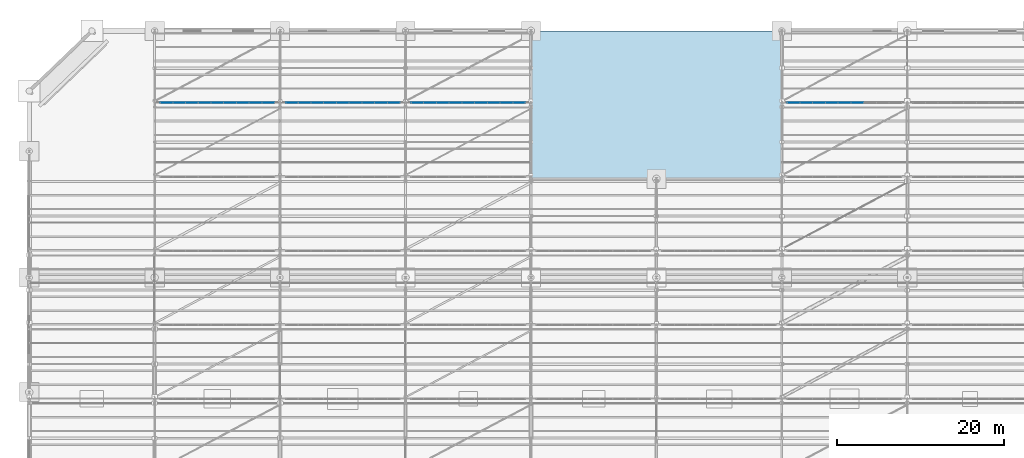
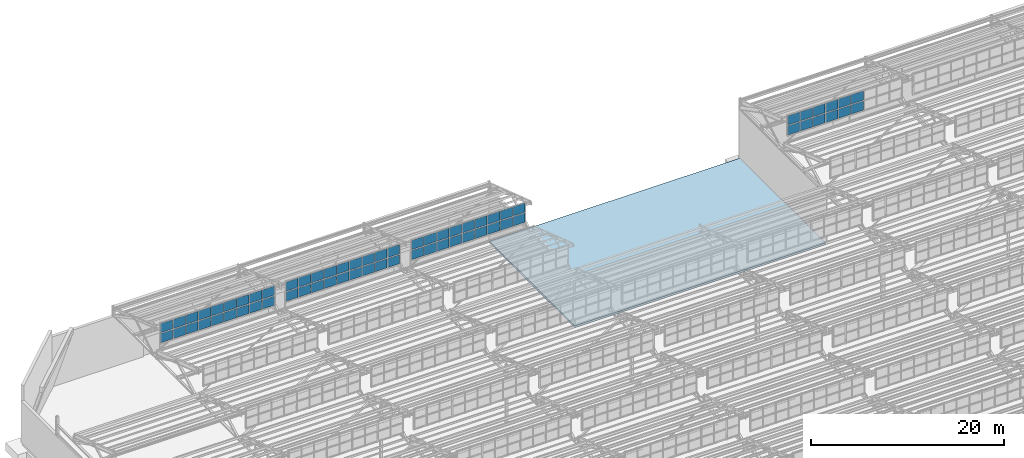
# One storey, part 187 of 285: 66 plates, 1 slab, 4 elements without a shape of their own.
"""IFC4 building model written with IfcOpenShell, lengths in metres."""

from ifc_helpers import new_model, si_unit, direction, frame, origin, origin_2d, place, context, subcontext, project, spatial, polyline, rectangle, outline, extrude, material, layer, layer_set, type_object, element, aggregate, save


model = new_model("IFC4")

# Units and contexts
model_context = context("Model", 3, precision=1e-05, world=origin(), true_north=direction((0.0, 1.0)))
body_context = subcontext(model_context, "Body", "Model", "MODEL_VIEW")
ifc_project = project(units=[si_unit("LENGTHUNIT", "METRE"), si_unit("AREAUNIT", "SQUARE_METRE"), si_unit("VOLUMEUNIT", "CUBIC_METRE"), si_unit("PLANEANGLEUNIT", "RADIAN"), si_unit("MASSUNIT", "GRAM", prefix="KILO")], contexts=[model_context])

# Site, building, storey
site_placement = place(None, origin())
site = spatial("IfcSite", under=ifc_project, at=site_placement, CompositionType="ELEMENT")
building_placement = place(site_placement, origin())
building = spatial("IfcBuilding", under=site, at=building_placement, Name="Solanera Park Tramway Depot", CompositionType="ELEMENT")
storey_placement = place(building_placement, origin())
storey = spatial("IfcBuildingStorey", under=building, at=storey_placement, Name="L00", CompositionType="ELEMENT", Elevation=0.0)

# Curtain wall, plates
ifc_material_1 = material(Name="Bronze-anodised thermally broken aluminium curtain wall", Category="aluminium")
curtain_wall_type = type_object("IfcCurtainWallType", Name="Sawtooth Clerestory Monitor Curtain Wall", PredefinedType="NOTDEFINED", material=ifc_material_1)
curtain_wall_1_placement = place(storey_placement, origin())
curtain_wall_1 = element("IfcCurtainWall", 1, at=curtain_wall_1_placement, inside=storey, type_object=curtain_wall_type, Name="L00 Sawtooth Clerestory Monitor Curtain Wall #066", PredefinedType="NOTDEFINED")
ifc_material_2 = material(Name="Low-E laminated solar-control double glazing", Category="glass")
ifc_layer_1 = layer(ifc_material_2, 0.028076171875)
ifc_layer_set_1 = layer_set([ifc_layer_1], Name="Low-E laminated solar-control double glazing")
plate_type = type_object("IfcPlateType", Name="Curtain Wall Double Glazing Panel 28", PredefinedType="CURTAIN_PANEL", material=ifc_layer_set_1)
plate_1_placement = place(storey_placement, frame((16.427490234375, 135.39990234375, 7.862060546875), z_axis=(0.0, 0.0, 1.0), x_axis=(1.0, 0.0, 0.0)))
plate_1 = element("IfcPlate", 2, at=plate_1_placement, type_object=plate_type, Name="CW-L00-066 Glazing Panel R1.C1", PredefinedType="CURTAIN_PANEL", context=body_context, shape_type="SweptSolid", body=[
    extrude(rectangle(XDim=1.437744140625, YDim=0.028076171875, at=origin_2d()), origin(), (0.0, 0.0, 1.0), 1.16650390625),
])
plate_2_placement = place(storey_placement, frame((17.933349609375, 135.39990234375, 7.862060546875), z_axis=(0.0, 0.0, 1.0), x_axis=(1.0, 0.0, 0.0)))
plate_2 = element("IfcPlate", 3, at=plate_2_placement, type_object=plate_type, Name="CW-L00-066 Glazing Panel R1.C2", PredefinedType="CURTAIN_PANEL", context=body_context, shape_type="SweptSolid", body=[
    extrude(rectangle(XDim=1.47021484375, YDim=0.028076171875, at=origin_2d()), origin(), (0.0, 0.0, 1.0), 1.16650390625),
])
plate_3_placement = place(storey_placement, frame((19.45556640625, 135.39990234375, 7.862060546875), z_axis=(0.0, 0.0, 1.0), x_axis=(1.0, 0.0, 0.0)))
plate_3 = element("IfcPlate", 4, at=plate_3_placement, type_object=plate_type, Name="CW-L00-066 Glazing Panel R1.C3", PredefinedType="CURTAIN_PANEL", context=body_context, shape_type="SweptSolid", body=[
    extrude(rectangle(XDim=1.47021484375, YDim=0.028076171875, at=origin_2d()), origin(), (0.0, 0.0, 1.0), 1.16650390625),
])
plate_4_placement = place(storey_placement, frame((20.977783203125, 135.39990234375, 7.862060546875), z_axis=(0.0, 0.0, 1.0), x_axis=(1.0, 0.0, 0.0)))
plate_4 = element("IfcPlate", 5, at=plate_4_placement, type_object=plate_type, Name="CW-L00-066 Glazing Panel R1.C4", PredefinedType="CURTAIN_PANEL", context=body_context, shape_type="SweptSolid", body=[
    extrude(rectangle(XDim=1.47021484375, YDim=0.028076171875, at=origin_2d()), origin(), (0.0, 0.0, 1.0), 1.16650390625),
])
plate_5_placement = place(storey_placement, frame((22.5, 135.39990234375, 7.862060546875), z_axis=(0.0, 0.0, 1.0), x_axis=(1.0, 0.0, 0.0)))
plate_5 = element("IfcPlate", 6, at=plate_5_placement, type_object=plate_type, Name="CW-L00-066 Glazing Panel R1.C5", PredefinedType="CURTAIN_PANEL", context=body_context, shape_type="SweptSolid", body=[
    extrude(rectangle(XDim=1.47021484375, YDim=0.028076171875, at=origin_2d()), origin(), (0.0, 0.0, 1.0), 1.16650390625),
])
plate_6_placement = place(storey_placement, frame((24.022216796875, 135.39990234375, 7.862060546875), z_axis=(0.0, 0.0, 1.0), x_axis=(1.0, 0.0, 0.0)))
plate_6 = element("IfcPlate", 7, at=plate_6_placement, type_object=plate_type, Name="CW-L00-066 Glazing Panel R1.C6", PredefinedType="CURTAIN_PANEL", context=body_context, shape_type="SweptSolid", body=[
    extrude(rectangle(XDim=1.47021484375, YDim=0.028076171875, at=origin_2d()), origin(), (0.0, 0.0, 1.0), 1.16650390625),
])
plate_7_placement = place(storey_placement, frame((25.54443359375, 135.39990234375, 7.862060546875), z_axis=(0.0, 0.0, 1.0), x_axis=(1.0, 0.0, 0.0)))
plate_7 = element("IfcPlate", 8, at=plate_7_placement, type_object=plate_type, Name="CW-L00-066 Glazing Panel R1.C7", PredefinedType="CURTAIN_PANEL", context=body_context, shape_type="SweptSolid", body=[
    extrude(rectangle(XDim=1.47021484375, YDim=0.028076171875, at=origin_2d()), origin(), (0.0, 0.0, 1.0), 1.16650390625),
])
plate_8_placement = place(storey_placement, frame((27.066650390625, 135.39990234375, 7.862060546875), z_axis=(0.0, 0.0, 1.0), x_axis=(1.0, 0.0, 0.0)))
plate_8 = element("IfcPlate", 9, at=plate_8_placement, type_object=plate_type, Name="CW-L00-066 Glazing Panel R1.C8", PredefinedType="CURTAIN_PANEL", context=body_context, shape_type="SweptSolid", body=[
    extrude(rectangle(XDim=1.47021484375, YDim=0.028076171875, at=origin_2d()), origin(), (0.0, 0.0, 1.0), 1.16650390625),
])
plate_9_placement = place(storey_placement, frame((28.572509765625, 135.39990234375, 7.862060546875), z_axis=(0.0, 0.0, 1.0), x_axis=(1.0, 0.0, 0.0)))
plate_9 = element("IfcPlate", 10, at=plate_9_placement, type_object=plate_type, Name="CW-L00-066 Glazing Panel R1.C9", PredefinedType="CURTAIN_PANEL", context=body_context, shape_type="SweptSolid", body=[
    extrude(rectangle(XDim=1.437744140625, YDim=0.028076171875, at=origin_2d()), origin(), (0.0, 0.0, 1.0), 1.16650390625),
])
plate_10_placement = place(storey_placement, frame((16.427490234375, 135.39990234375, 9.132568359375), z_axis=(0.0, 0.0, 1.0), x_axis=(1.0, 0.0, 0.0)))
plate_10 = element("IfcPlate", 11, at=plate_10_placement, type_object=plate_type, Name="CW-L00-066 Glazing Panel R2.C1", PredefinedType="CURTAIN_PANEL", context=body_context, shape_type="SweptSolid", body=[
    extrude(rectangle(XDim=1.437744140625, YDim=0.028076171875, at=origin_2d()), origin(), (0.0, 0.0, 1.0), 1.16650390625),
])
plate_11_placement = place(storey_placement, frame((17.933349609375, 135.39990234375, 9.132568359375), z_axis=(0.0, 0.0, 1.0), x_axis=(1.0, 0.0, 0.0)))
plate_11 = element("IfcPlate", 12, at=plate_11_placement, type_object=plate_type, Name="CW-L00-066 Glazing Panel R2.C2", PredefinedType="CURTAIN_PANEL", context=body_context, shape_type="SweptSolid", body=[
    extrude(rectangle(XDim=1.47021484375, YDim=0.028076171875, at=origin_2d()), origin(), (0.0, 0.0, 1.0), 1.16650390625),
])
plate_12_placement = place(storey_placement, frame((19.45556640625, 135.39990234375, 9.132568359375), z_axis=(0.0, 0.0, 1.0), x_axis=(1.0, 0.0, 0.0)))
plate_12 = element("IfcPlate", 13, at=plate_12_placement, type_object=plate_type, Name="CW-L00-066 Glazing Panel R2.C3", PredefinedType="CURTAIN_PANEL", context=body_context, shape_type="SweptSolid", body=[
    extrude(rectangle(XDim=1.47021484375, YDim=0.028076171875, at=origin_2d()), origin(), (0.0, 0.0, 1.0), 1.16650390625),
])
plate_13_placement = place(storey_placement, frame((20.977783203125, 135.39990234375, 9.132568359375), z_axis=(0.0, 0.0, 1.0), x_axis=(1.0, 0.0, 0.0)))
plate_13 = element("IfcPlate", 14, at=plate_13_placement, type_object=plate_type, Name="CW-L00-066 Glazing Panel R2.C4", PredefinedType="CURTAIN_PANEL", context=body_context, shape_type="SweptSolid", body=[
    extrude(rectangle(XDim=1.47021484375, YDim=0.028076171875, at=origin_2d()), origin(), (0.0, 0.0, 1.0), 1.16650390625),
])
plate_14_placement = place(storey_placement, frame((22.5, 135.39990234375, 9.132568359375), z_axis=(0.0, 0.0, 1.0), x_axis=(1.0, 0.0, 0.0)))
plate_14 = element("IfcPlate", 15, at=plate_14_placement, type_object=plate_type, Name="CW-L00-066 Glazing Panel R2.C5", PredefinedType="CURTAIN_PANEL", context=body_context, shape_type="SweptSolid", body=[
    extrude(rectangle(XDim=1.47021484375, YDim=0.028076171875, at=origin_2d()), origin(), (0.0, 0.0, 1.0), 1.16650390625),
])
plate_15_placement = place(storey_placement, frame((24.022216796875, 135.39990234375, 9.132568359375), z_axis=(0.0, 0.0, 1.0), x_axis=(1.0, 0.0, 0.0)))
plate_15 = element("IfcPlate", 16, at=plate_15_placement, type_object=plate_type, Name="CW-L00-066 Glazing Panel R2.C6", PredefinedType="CURTAIN_PANEL", context=body_context, shape_type="SweptSolid", body=[
    extrude(rectangle(XDim=1.47021484375, YDim=0.028076171875, at=origin_2d()), origin(), (0.0, 0.0, 1.0), 1.16650390625),
])
plate_16_placement = place(storey_placement, frame((25.54443359375, 135.39990234375, 9.132568359375), z_axis=(0.0, 0.0, 1.0), x_axis=(1.0, 0.0, 0.0)))
plate_16 = element("IfcPlate", 17, at=plate_16_placement, type_object=plate_type, Name="CW-L00-066 Glazing Panel R2.C7", PredefinedType="CURTAIN_PANEL", context=body_context, shape_type="SweptSolid", body=[
    extrude(rectangle(XDim=1.47021484375, YDim=0.028076171875, at=origin_2d()), origin(), (0.0, 0.0, 1.0), 1.16650390625),
])
plate_17_placement = place(storey_placement, frame((27.066650390625, 135.39990234375, 9.132568359375), z_axis=(0.0, 0.0, 1.0), x_axis=(1.0, 0.0, 0.0)))
plate_17 = element("IfcPlate", 18, at=plate_17_placement, type_object=plate_type, Name="CW-L00-066 Glazing Panel R2.C8", PredefinedType="CURTAIN_PANEL", context=body_context, shape_type="SweptSolid", body=[
    extrude(rectangle(XDim=1.47021484375, YDim=0.028076171875, at=origin_2d()), origin(), (0.0, 0.0, 1.0), 1.16650390625),
])
plate_18_placement = place(storey_placement, frame((28.572509765625, 135.39990234375, 9.132568359375), z_axis=(0.0, 0.0, 1.0), x_axis=(1.0, 0.0, 0.0)))
plate_18 = element("IfcPlate", 19, at=plate_18_placement, type_object=plate_type, Name="CW-L00-066 Glazing Panel R2.C9", PredefinedType="CURTAIN_PANEL", context=body_context, shape_type="SweptSolid", body=[
    extrude(rectangle(XDim=1.437744140625, YDim=0.028076171875, at=origin_2d()), origin(), (0.0, 0.0, 1.0), 1.16650390625),
])
aggregate(curtain_wall_1, [plate_1, plate_2, plate_3, plate_4, plate_5, plate_6, plate_7, plate_8, plate_9, plate_10, plate_11, plate_12, plate_13, plate_14, plate_15, plate_16, plate_17, plate_18])

curtain_wall_2_placement = place(storey_placement, origin())
curtain_wall_2 = element("IfcCurtainWall", 20, at=curtain_wall_2_placement, inside=storey, type_object=curtain_wall_type, Name="L00 Sawtooth Clerestory Monitor Curtain Wall #067", PredefinedType="NOTDEFINED")
plate_19_placement = place(storey_placement, frame((31.427490234375, 135.39990234375, 7.862060546875), z_axis=(0.0, 0.0, 1.0), x_axis=(1.0, 0.0, 0.0)))
plate_19 = element("IfcPlate", 21, at=plate_19_placement, type_object=plate_type, Name="CW-L00-067 Glazing Panel R1.C1", PredefinedType="CURTAIN_PANEL", context=body_context, shape_type="SweptSolid", body=[
    extrude(rectangle(XDim=1.437744140625, YDim=0.028076171875, at=origin_2d()), origin(), (0.0, 0.0, 1.0), 1.16650390625),
])
plate_20_placement = place(storey_placement, frame((32.933349609375, 135.39990234375, 7.862060546875), z_axis=(0.0, 0.0, 1.0), x_axis=(1.0, 0.0, 0.0)))
plate_20 = element("IfcPlate", 22, at=plate_20_placement, type_object=plate_type, Name="CW-L00-067 Glazing Panel R1.C2", PredefinedType="CURTAIN_PANEL", context=body_context, shape_type="SweptSolid", body=[
    extrude(rectangle(XDim=1.47021484375, YDim=0.028076171875, at=origin_2d()), origin(), (0.0, 0.0, 1.0), 1.16650390625),
])
plate_21_placement = place(storey_placement, frame((34.45556640625, 135.39990234375, 7.862060546875), z_axis=(0.0, 0.0, 1.0), x_axis=(1.0, 0.0, 0.0)))
plate_21 = element("IfcPlate", 23, at=plate_21_placement, type_object=plate_type, Name="CW-L00-067 Glazing Panel R1.C3", PredefinedType="CURTAIN_PANEL", context=body_context, shape_type="SweptSolid", body=[
    extrude(rectangle(XDim=1.47021484375, YDim=0.028076171875, at=origin_2d()), origin(), (0.0, 0.0, 1.0), 1.16650390625),
])
plate_22_placement = place(storey_placement, frame((35.977783203125, 135.39990234375, 7.862060546875), z_axis=(0.0, 0.0, 1.0), x_axis=(1.0, 0.0, 0.0)))
plate_22 = element("IfcPlate", 24, at=plate_22_placement, type_object=plate_type, Name="CW-L00-067 Glazing Panel R1.C4", PredefinedType="CURTAIN_PANEL", context=body_context, shape_type="SweptSolid", body=[
    extrude(rectangle(XDim=1.47021484375, YDim=0.028076171875, at=origin_2d()), origin(), (0.0, 0.0, 1.0), 1.16650390625),
])
plate_23_placement = place(storey_placement, frame((37.5, 135.39990234375, 7.862060546875), z_axis=(0.0, 0.0, 1.0), x_axis=(1.0, 0.0, 0.0)))
plate_23 = element("IfcPlate", 25, at=plate_23_placement, type_object=plate_type, Name="CW-L00-067 Glazing Panel R1.C5", PredefinedType="CURTAIN_PANEL", context=body_context, shape_type="SweptSolid", body=[
    extrude(rectangle(XDim=1.47021484375, YDim=0.028076171875, at=origin_2d()), origin(), (0.0, 0.0, 1.0), 1.16650390625),
])
plate_24_placement = place(storey_placement, frame((39.022216796875, 135.39990234375, 7.862060546875), z_axis=(0.0, 0.0, 1.0), x_axis=(1.0, 0.0, 0.0)))
plate_24 = element("IfcPlate", 26, at=plate_24_placement, type_object=plate_type, Name="CW-L00-067 Glazing Panel R1.C6", PredefinedType="CURTAIN_PANEL", context=body_context, shape_type="SweptSolid", body=[
    extrude(rectangle(XDim=1.47021484375, YDim=0.028076171875, at=origin_2d()), origin(), (0.0, 0.0, 1.0), 1.16650390625),
])
plate_25_placement = place(storey_placement, frame((40.54443359375, 135.39990234375, 7.862060546875), z_axis=(0.0, 0.0, 1.0), x_axis=(1.0, 0.0, 0.0)))
plate_25 = element("IfcPlate", 27, at=plate_25_placement, type_object=plate_type, Name="CW-L00-067 Glazing Panel R1.C7", PredefinedType="CURTAIN_PANEL", context=body_context, shape_type="SweptSolid", body=[
    extrude(rectangle(XDim=1.47021484375, YDim=0.028076171875, at=origin_2d()), origin(), (0.0, 0.0, 1.0), 1.16650390625),
])
plate_26_placement = place(storey_placement, frame((42.066650390625, 135.39990234375, 7.862060546875), z_axis=(0.0, 0.0, 1.0), x_axis=(1.0, 0.0, 0.0)))
plate_26 = element("IfcPlate", 28, at=plate_26_placement, type_object=plate_type, Name="CW-L00-067 Glazing Panel R1.C8", PredefinedType="CURTAIN_PANEL", context=body_context, shape_type="SweptSolid", body=[
    extrude(rectangle(XDim=1.47021484375, YDim=0.028076171875, at=origin_2d()), origin(), (0.0, 0.0, 1.0), 1.16650390625),
])
plate_27_placement = place(storey_placement, frame((43.572509765625, 135.39990234375, 7.862060546875), z_axis=(0.0, 0.0, 1.0), x_axis=(1.0, 0.0, 0.0)))
plate_27 = element("IfcPlate", 29, at=plate_27_placement, type_object=plate_type, Name="CW-L00-067 Glazing Panel R1.C9", PredefinedType="CURTAIN_PANEL", context=body_context, shape_type="SweptSolid", body=[
    extrude(rectangle(XDim=1.437744140625, YDim=0.028076171875, at=origin_2d()), origin(), (0.0, 0.0, 1.0), 1.16650390625),
])
plate_28_placement = place(storey_placement, frame((31.427490234375, 135.39990234375, 9.132568359375), z_axis=(0.0, 0.0, 1.0), x_axis=(1.0, 0.0, 0.0)))
plate_28 = element("IfcPlate", 30, at=plate_28_placement, type_object=plate_type, Name="CW-L00-067 Glazing Panel R2.C1", PredefinedType="CURTAIN_PANEL", context=body_context, shape_type="SweptSolid", body=[
    extrude(rectangle(XDim=1.437744140625, YDim=0.028076171875, at=origin_2d()), origin(), (0.0, 0.0, 1.0), 1.16650390625),
])
plate_29_placement = place(storey_placement, frame((32.933349609375, 135.39990234375, 9.132568359375), z_axis=(0.0, 0.0, 1.0), x_axis=(1.0, 0.0, 0.0)))
plate_29 = element("IfcPlate", 31, at=plate_29_placement, type_object=plate_type, Name="CW-L00-067 Glazing Panel R2.C2", PredefinedType="CURTAIN_PANEL", context=body_context, shape_type="SweptSolid", body=[
    extrude(rectangle(XDim=1.47021484375, YDim=0.028076171875, at=origin_2d()), origin(), (0.0, 0.0, 1.0), 1.16650390625),
])
plate_30_placement = place(storey_placement, frame((34.45556640625, 135.39990234375, 9.132568359375), z_axis=(0.0, 0.0, 1.0), x_axis=(1.0, 0.0, 0.0)))
plate_30 = element("IfcPlate", 32, at=plate_30_placement, type_object=plate_type, Name="CW-L00-067 Glazing Panel R2.C3", PredefinedType="CURTAIN_PANEL", context=body_context, shape_type="SweptSolid", body=[
    extrude(rectangle(XDim=1.47021484375, YDim=0.028076171875, at=origin_2d()), origin(), (0.0, 0.0, 1.0), 1.16650390625),
])
plate_31_placement = place(storey_placement, frame((35.977783203125, 135.39990234375, 9.132568359375), z_axis=(0.0, 0.0, 1.0), x_axis=(1.0, 0.0, 0.0)))
plate_31 = element("IfcPlate", 33, at=plate_31_placement, type_object=plate_type, Name="CW-L00-067 Glazing Panel R2.C4", PredefinedType="CURTAIN_PANEL", context=body_context, shape_type="SweptSolid", body=[
    extrude(rectangle(XDim=1.47021484375, YDim=0.028076171875, at=origin_2d()), origin(), (0.0, 0.0, 1.0), 1.16650390625),
])
plate_32_placement = place(storey_placement, frame((37.5, 135.39990234375, 9.132568359375), z_axis=(0.0, 0.0, 1.0), x_axis=(1.0, 0.0, 0.0)))
plate_32 = element("IfcPlate", 34, at=plate_32_placement, type_object=plate_type, Name="CW-L00-067 Glazing Panel R2.C5", PredefinedType="CURTAIN_PANEL", context=body_context, shape_type="SweptSolid", body=[
    extrude(rectangle(XDim=1.47021484375, YDim=0.028076171875, at=origin_2d()), origin(), (0.0, 0.0, 1.0), 1.16650390625),
])
plate_33_placement = place(storey_placement, frame((39.022216796875, 135.39990234375, 9.132568359375), z_axis=(0.0, 0.0, 1.0), x_axis=(1.0, 0.0, 0.0)))
plate_33 = element("IfcPlate", 35, at=plate_33_placement, type_object=plate_type, Name="CW-L00-067 Glazing Panel R2.C6", PredefinedType="CURTAIN_PANEL", context=body_context, shape_type="SweptSolid", body=[
    extrude(rectangle(XDim=1.47021484375, YDim=0.028076171875, at=origin_2d()), origin(), (0.0, 0.0, 1.0), 1.16650390625),
])
plate_34_placement = place(storey_placement, frame((40.54443359375, 135.39990234375, 9.132568359375), z_axis=(0.0, 0.0, 1.0), x_axis=(1.0, 0.0, 0.0)))
plate_34 = element("IfcPlate", 36, at=plate_34_placement, type_object=plate_type, Name="CW-L00-067 Glazing Panel R2.C7", PredefinedType="CURTAIN_PANEL", context=body_context, shape_type="SweptSolid", body=[
    extrude(rectangle(XDim=1.47021484375, YDim=0.028076171875, at=origin_2d()), origin(), (0.0, 0.0, 1.0), 1.16650390625),
])
plate_35_placement = place(storey_placement, frame((42.066650390625, 135.39990234375, 9.132568359375), z_axis=(0.0, 0.0, 1.0), x_axis=(1.0, 0.0, 0.0)))
plate_35 = element("IfcPlate", 37, at=plate_35_placement, type_object=plate_type, Name="CW-L00-067 Glazing Panel R2.C8", PredefinedType="CURTAIN_PANEL", context=body_context, shape_type="SweptSolid", body=[
    extrude(rectangle(XDim=1.47021484375, YDim=0.028076171875, at=origin_2d()), origin(), (0.0, 0.0, 1.0), 1.16650390625),
])
plate_36_placement = place(storey_placement, frame((43.572509765625, 135.39990234375, 9.132568359375), z_axis=(0.0, 0.0, 1.0), x_axis=(1.0, 0.0, 0.0)))
plate_36 = element("IfcPlate", 38, at=plate_36_placement, type_object=plate_type, Name="CW-L00-067 Glazing Panel R2.C9", PredefinedType="CURTAIN_PANEL", context=body_context, shape_type="SweptSolid", body=[
    extrude(rectangle(XDim=1.437744140625, YDim=0.028076171875, at=origin_2d()), origin(), (0.0, 0.0, 1.0), 1.16650390625),
])
aggregate(curtain_wall_2, [plate_19, plate_20, plate_21, plate_22, plate_23, plate_24, plate_25, plate_26, plate_27, plate_28, plate_29, plate_30, plate_31, plate_32, plate_33, plate_34, plate_35, plate_36])

curtain_wall_3_placement = place(storey_placement, origin())
curtain_wall_3 = element("IfcCurtainWall", 39, at=curtain_wall_3_placement, inside=storey, type_object=curtain_wall_type, Name="L00 Sawtooth Clerestory Monitor Curtain Wall #068", PredefinedType="NOTDEFINED")
plate_37_placement = place(storey_placement, frame((46.427490234375, 135.39990234375, 7.862060546875), z_axis=(0.0, 0.0, 1.0), x_axis=(1.0, 0.0, 0.0)))
plate_37 = element("IfcPlate", 40, at=plate_37_placement, type_object=plate_type, Name="CW-L00-068 Glazing Panel R1.C1", PredefinedType="CURTAIN_PANEL", context=body_context, shape_type="SweptSolid", body=[
    extrude(rectangle(XDim=1.437744140625, YDim=0.028076171875, at=origin_2d()), origin(), (0.0, 0.0, 1.0), 1.16650390625),
])
plate_38_placement = place(storey_placement, frame((47.933349609375, 135.39990234375, 7.862060546875), z_axis=(0.0, 0.0, 1.0), x_axis=(1.0, 0.0, 0.0)))
plate_38 = element("IfcPlate", 41, at=plate_38_placement, type_object=plate_type, Name="CW-L00-068 Glazing Panel R1.C2", PredefinedType="CURTAIN_PANEL", context=body_context, shape_type="SweptSolid", body=[
    extrude(rectangle(XDim=1.47021484375, YDim=0.028076171875, at=origin_2d()), origin(), (0.0, 0.0, 1.0), 1.16650390625),
])
plate_39_placement = place(storey_placement, frame((49.45556640625, 135.39990234375, 7.862060546875), z_axis=(0.0, 0.0, 1.0), x_axis=(1.0, 0.0, 0.0)))
plate_39 = element("IfcPlate", 42, at=plate_39_placement, type_object=plate_type, Name="CW-L00-068 Glazing Panel R1.C3", PredefinedType="CURTAIN_PANEL", context=body_context, shape_type="SweptSolid", body=[
    extrude(rectangle(XDim=1.47021484375, YDim=0.028076171875, at=origin_2d()), origin(), (0.0, 0.0, 1.0), 1.16650390625),
])
plate_40_placement = place(storey_placement, frame((50.977783203125, 135.39990234375, 7.862060546875), z_axis=(0.0, 0.0, 1.0), x_axis=(1.0, 0.0, 0.0)))
plate_40 = element("IfcPlate", 43, at=plate_40_placement, type_object=plate_type, Name="CW-L00-068 Glazing Panel R1.C4", PredefinedType="CURTAIN_PANEL", context=body_context, shape_type="SweptSolid", body=[
    extrude(rectangle(XDim=1.47021484375, YDim=0.028076171875, at=origin_2d()), origin(), (0.0, 0.0, 1.0), 1.16650390625),
])
plate_41_placement = place(storey_placement, frame((52.5, 135.39990234375, 7.862060546875), z_axis=(0.0, 0.0, 1.0), x_axis=(1.0, 0.0, 0.0)))
plate_41 = element("IfcPlate", 44, at=plate_41_placement, type_object=plate_type, Name="CW-L00-068 Glazing Panel R1.C5", PredefinedType="CURTAIN_PANEL", context=body_context, shape_type="SweptSolid", body=[
    extrude(rectangle(XDim=1.47021484375, YDim=0.028076171875, at=origin_2d()), origin(), (0.0, 0.0, 1.0), 1.16650390625),
])
plate_42_placement = place(storey_placement, frame((54.022216796875, 135.39990234375, 7.862060546875), z_axis=(0.0, 0.0, 1.0), x_axis=(1.0, 0.0, 0.0)))
plate_42 = element("IfcPlate", 45, at=plate_42_placement, type_object=plate_type, Name="CW-L00-068 Glazing Panel R1.C6", PredefinedType="CURTAIN_PANEL", context=body_context, shape_type="SweptSolid", body=[
    extrude(rectangle(XDim=1.47021484375, YDim=0.028076171875, at=origin_2d()), origin(), (0.0, 0.0, 1.0), 1.16650390625),
])
plate_43_placement = place(storey_placement, frame((55.54443359375, 135.39990234375, 7.862060546875), z_axis=(0.0, 0.0, 1.0), x_axis=(1.0, 0.0, 0.0)))
plate_43 = element("IfcPlate", 46, at=plate_43_placement, type_object=plate_type, Name="CW-L00-068 Glazing Panel R1.C7", PredefinedType="CURTAIN_PANEL", context=body_context, shape_type="SweptSolid", body=[
    extrude(rectangle(XDim=1.47021484375, YDim=0.028076171875, at=origin_2d()), origin(), (0.0, 0.0, 1.0), 1.16650390625),
])
plate_44_placement = place(storey_placement, frame((57.066650390625, 135.39990234375, 7.862060546875), z_axis=(0.0, 0.0, 1.0), x_axis=(1.0, 0.0, 0.0)))
plate_44 = element("IfcPlate", 47, at=plate_44_placement, type_object=plate_type, Name="CW-L00-068 Glazing Panel R1.C8", PredefinedType="CURTAIN_PANEL", context=body_context, shape_type="SweptSolid", body=[
    extrude(rectangle(XDim=1.47021484375, YDim=0.028076171875, at=origin_2d()), origin(), (0.0, 0.0, 1.0), 1.16650390625),
])
plate_45_placement = place(storey_placement, frame((58.572509765625, 135.39990234375, 7.862060546875), z_axis=(0.0, 0.0, 1.0), x_axis=(1.0, 0.0, 0.0)))
plate_45 = element("IfcPlate", 48, at=plate_45_placement, type_object=plate_type, Name="CW-L00-068 Glazing Panel R1.C9", PredefinedType="CURTAIN_PANEL", context=body_context, shape_type="SweptSolid", body=[
    extrude(rectangle(XDim=1.437744140625, YDim=0.028076171875, at=origin_2d()), origin(), (0.0, 0.0, 1.0), 1.16650390625),
])
plate_46_placement = place(storey_placement, frame((46.427490234375, 135.39990234375, 9.132568359375), z_axis=(0.0, 0.0, 1.0), x_axis=(1.0, 0.0, 0.0)))
plate_46 = element("IfcPlate", 49, at=plate_46_placement, type_object=plate_type, Name="CW-L00-068 Glazing Panel R2.C1", PredefinedType="CURTAIN_PANEL", context=body_context, shape_type="SweptSolid", body=[
    extrude(rectangle(XDim=1.437744140625, YDim=0.028076171875, at=origin_2d()), origin(), (0.0, 0.0, 1.0), 1.16650390625),
])
plate_47_placement = place(storey_placement, frame((47.933349609375, 135.39990234375, 9.132568359375), z_axis=(0.0, 0.0, 1.0), x_axis=(1.0, 0.0, 0.0)))
plate_47 = element("IfcPlate", 50, at=plate_47_placement, type_object=plate_type, Name="CW-L00-068 Glazing Panel R2.C2", PredefinedType="CURTAIN_PANEL", context=body_context, shape_type="SweptSolid", body=[
    extrude(rectangle(XDim=1.47021484375, YDim=0.028076171875, at=origin_2d()), origin(), (0.0, 0.0, 1.0), 1.16650390625),
])
plate_48_placement = place(storey_placement, frame((49.45556640625, 135.39990234375, 9.132568359375), z_axis=(0.0, 0.0, 1.0), x_axis=(1.0, 0.0, 0.0)))
plate_48 = element("IfcPlate", 51, at=plate_48_placement, type_object=plate_type, Name="CW-L00-068 Glazing Panel R2.C3", PredefinedType="CURTAIN_PANEL", context=body_context, shape_type="SweptSolid", body=[
    extrude(rectangle(XDim=1.47021484375, YDim=0.028076171875, at=origin_2d()), origin(), (0.0, 0.0, 1.0), 1.16650390625),
])
plate_49_placement = place(storey_placement, frame((50.977783203125, 135.39990234375, 9.132568359375), z_axis=(0.0, 0.0, 1.0), x_axis=(1.0, 0.0, 0.0)))
plate_49 = element("IfcPlate", 52, at=plate_49_placement, type_object=plate_type, Name="CW-L00-068 Glazing Panel R2.C4", PredefinedType="CURTAIN_PANEL", context=body_context, shape_type="SweptSolid", body=[
    extrude(rectangle(XDim=1.47021484375, YDim=0.028076171875, at=origin_2d()), origin(), (0.0, 0.0, 1.0), 1.16650390625),
])
plate_50_placement = place(storey_placement, frame((52.5, 135.39990234375, 9.132568359375), z_axis=(0.0, 0.0, 1.0), x_axis=(1.0, 0.0, 0.0)))
plate_50 = element("IfcPlate", 53, at=plate_50_placement, type_object=plate_type, Name="CW-L00-068 Glazing Panel R2.C5", PredefinedType="CURTAIN_PANEL", context=body_context, shape_type="SweptSolid", body=[
    extrude(rectangle(XDim=1.47021484375, YDim=0.028076171875, at=origin_2d()), origin(), (0.0, 0.0, 1.0), 1.16650390625),
])
plate_51_placement = place(storey_placement, frame((54.022216796875, 135.39990234375, 9.132568359375), z_axis=(0.0, 0.0, 1.0), x_axis=(1.0, 0.0, 0.0)))
plate_51 = element("IfcPlate", 54, at=plate_51_placement, type_object=plate_type, Name="CW-L00-068 Glazing Panel R2.C6", PredefinedType="CURTAIN_PANEL", context=body_context, shape_type="SweptSolid", body=[
    extrude(rectangle(XDim=1.47021484375, YDim=0.028076171875, at=origin_2d()), origin(), (0.0, 0.0, 1.0), 1.16650390625),
])
plate_52_placement = place(storey_placement, frame((55.54443359375, 135.39990234375, 9.132568359375), z_axis=(0.0, 0.0, 1.0), x_axis=(1.0, 0.0, 0.0)))
plate_52 = element("IfcPlate", 55, at=plate_52_placement, type_object=plate_type, Name="CW-L00-068 Glazing Panel R2.C7", PredefinedType="CURTAIN_PANEL", context=body_context, shape_type="SweptSolid", body=[
    extrude(rectangle(XDim=1.47021484375, YDim=0.028076171875, at=origin_2d()), origin(), (0.0, 0.0, 1.0), 1.16650390625),
])
plate_53_placement = place(storey_placement, frame((57.066650390625, 135.39990234375, 9.132568359375), z_axis=(0.0, 0.0, 1.0), x_axis=(1.0, 0.0, 0.0)))
plate_53 = element("IfcPlate", 56, at=plate_53_placement, type_object=plate_type, Name="CW-L00-068 Glazing Panel R2.C8", PredefinedType="CURTAIN_PANEL", context=body_context, shape_type="SweptSolid", body=[
    extrude(rectangle(XDim=1.47021484375, YDim=0.028076171875, at=origin_2d()), origin(), (0.0, 0.0, 1.0), 1.16650390625),
])
plate_54_placement = place(storey_placement, frame((58.572509765625, 135.39990234375, 9.132568359375), z_axis=(0.0, 0.0, 1.0), x_axis=(1.0, 0.0, 0.0)))
plate_54 = element("IfcPlate", 57, at=plate_54_placement, type_object=plate_type, Name="CW-L00-068 Glazing Panel R2.C9", PredefinedType="CURTAIN_PANEL", context=body_context, shape_type="SweptSolid", body=[
    extrude(rectangle(XDim=1.437744140625, YDim=0.028076171875, at=origin_2d()), origin(), (0.0, 0.0, 1.0), 1.16650390625),
])
aggregate(curtain_wall_3, [plate_37, plate_38, plate_39, plate_40, plate_41, plate_42, plate_43, plate_44, plate_45, plate_46, plate_47, plate_48, plate_49, plate_50, plate_51, plate_52, plate_53, plate_54])

curtain_wall_4_placement = place(storey_placement, origin())
curtain_wall_4 = element("IfcCurtainWall", 58, at=curtain_wall_4_placement, inside=storey, type_object=curtain_wall_type, Name="L00 Sawtooth Clerestory Monitor Curtain Wall #069", PredefinedType="NOTDEFINED")
plate_55_placement = place(storey_placement, frame((91.427490234375, 135.39990234375, 7.862060546875), z_axis=(0.0, 0.0, 1.0), x_axis=(1.0, 0.0, 0.0)))
plate_55 = element("IfcPlate", 59, at=plate_55_placement, type_object=plate_type, Name="CW-L00-069 Glazing Panel R1.C1", PredefinedType="CURTAIN_PANEL", context=body_context, shape_type="SweptSolid", body=[
    extrude(rectangle(XDim=1.437744140625, YDim=0.028076171875, at=origin_2d()), origin(), (0.0, 0.0, 1.0), 1.16650390625),
])
plate_56_placement = place(storey_placement, frame((92.933349609375, 135.39990234375, 7.862060546875), z_axis=(0.0, 0.0, 1.0), x_axis=(1.0, 0.0, 0.0)))
plate_56 = element("IfcPlate", 60, at=plate_56_placement, type_object=plate_type, Name="CW-L00-069 Glazing Panel R1.C2", PredefinedType="CURTAIN_PANEL", context=body_context, shape_type="SweptSolid", body=[
    extrude(rectangle(XDim=1.47021484375, YDim=0.028076171875, at=origin_2d()), origin(), (0.0, 0.0, 1.0), 1.16650390625),
])
plate_57_placement = place(storey_placement, frame((94.45556640625, 135.39990234375, 7.862060546875), z_axis=(0.0, 0.0, 1.0), x_axis=(1.0, 0.0, 0.0)))
plate_57 = element("IfcPlate", 61, at=plate_57_placement, type_object=plate_type, Name="CW-L00-069 Glazing Panel R1.C3", PredefinedType="CURTAIN_PANEL", context=body_context, shape_type="SweptSolid", body=[
    extrude(rectangle(XDim=1.47021484375, YDim=0.028076171875, at=origin_2d()), origin(), (0.0, 0.0, 1.0), 1.16650390625),
])
plate_58_placement = place(storey_placement, frame((95.977783203125, 135.39990234375, 7.862060546875), z_axis=(0.0, 0.0, 1.0), x_axis=(1.0, 0.0, 0.0)))
plate_58 = element("IfcPlate", 62, at=plate_58_placement, type_object=plate_type, Name="CW-L00-069 Glazing Panel R1.C4", PredefinedType="CURTAIN_PANEL", context=body_context, shape_type="SweptSolid", body=[
    extrude(rectangle(XDim=1.47021484375, YDim=0.028076171875, at=origin_2d()), origin(), (0.0, 0.0, 1.0), 1.16650390625),
])
plate_59_placement = place(storey_placement, frame((97.5, 135.39990234375, 7.862060546875), z_axis=(0.0, 0.0, 1.0), x_axis=(1.0, 0.0, 0.0)))
plate_59 = element("IfcPlate", 63, at=plate_59_placement, type_object=plate_type, Name="CW-L00-069 Glazing Panel R1.C5", PredefinedType="CURTAIN_PANEL", context=body_context, shape_type="SweptSolid", body=[
    extrude(rectangle(XDim=1.47021484375, YDim=0.028076171875, at=origin_2d()), origin(), (0.0, 0.0, 1.0), 1.16650390625),
])
plate_60_placement = place(storey_placement, frame((99.022216796875, 135.39990234375, 7.862060546875), z_axis=(0.0, 0.0, 1.0), x_axis=(1.0, 0.0, 0.0)))
plate_60 = element("IfcPlate", 64, at=plate_60_placement, type_object=plate_type, Name="CW-L00-069 Glazing Panel R1.C6", PredefinedType="CURTAIN_PANEL", context=body_context, shape_type="SweptSolid", body=[
    extrude(rectangle(XDim=1.47021484375, YDim=0.028076171875, at=origin_2d()), origin(), (0.0, 0.0, 1.0), 1.16650390625),
])
plate_61_placement = place(storey_placement, frame((91.427490234375, 135.39990234375, 9.132568359375), z_axis=(0.0, 0.0, 1.0), x_axis=(1.0, 0.0, 0.0)))
plate_61 = element("IfcPlate", 65, at=plate_61_placement, type_object=plate_type, Name="CW-L00-069 Glazing Panel R2.C1", PredefinedType="CURTAIN_PANEL", context=body_context, shape_type="SweptSolid", body=[
    extrude(rectangle(XDim=1.437744140625, YDim=0.028076171875, at=origin_2d()), origin(), (0.0, 0.0, 1.0), 1.16650390625),
])
plate_62_placement = place(storey_placement, frame((92.933349609375, 135.39990234375, 9.132568359375), z_axis=(0.0, 0.0, 1.0), x_axis=(1.0, 0.0, 0.0)))
plate_62 = element("IfcPlate", 66, at=plate_62_placement, type_object=plate_type, Name="CW-L00-069 Glazing Panel R2.C2", PredefinedType="CURTAIN_PANEL", context=body_context, shape_type="SweptSolid", body=[
    extrude(rectangle(XDim=1.47021484375, YDim=0.028076171875, at=origin_2d()), origin(), (0.0, 0.0, 1.0), 1.16650390625),
])
plate_63_placement = place(storey_placement, frame((94.45556640625, 135.39990234375, 9.132568359375), z_axis=(0.0, 0.0, 1.0), x_axis=(1.0, 0.0, 0.0)))
plate_63 = element("IfcPlate", 67, at=plate_63_placement, type_object=plate_type, Name="CW-L00-069 Glazing Panel R2.C3", PredefinedType="CURTAIN_PANEL", context=body_context, shape_type="SweptSolid", body=[
    extrude(rectangle(XDim=1.47021484375, YDim=0.028076171875, at=origin_2d()), origin(), (0.0, 0.0, 1.0), 1.16650390625),
])
plate_64_placement = place(storey_placement, frame((95.977783203125, 135.39990234375, 9.132568359375), z_axis=(0.0, 0.0, 1.0), x_axis=(1.0, 0.0, 0.0)))
plate_64 = element("IfcPlate", 68, at=plate_64_placement, type_object=plate_type, Name="CW-L00-069 Glazing Panel R2.C4", PredefinedType="CURTAIN_PANEL", context=body_context, shape_type="SweptSolid", body=[
    extrude(rectangle(XDim=1.47021484375, YDim=0.028076171875, at=origin_2d()), origin(), (0.0, 0.0, 1.0), 1.16650390625),
])
plate_65_placement = place(storey_placement, frame((97.5, 135.39990234375, 9.132568359375), z_axis=(0.0, 0.0, 1.0), x_axis=(1.0, 0.0, 0.0)))
plate_65 = element("IfcPlate", 69, at=plate_65_placement, type_object=plate_type, Name="CW-L00-069 Glazing Panel R2.C5", PredefinedType="CURTAIN_PANEL", context=body_context, shape_type="SweptSolid", body=[
    extrude(rectangle(XDim=1.47021484375, YDim=0.028076171875, at=origin_2d()), origin(), (0.0, 0.0, 1.0), 1.16650390625),
])
plate_66_placement = place(storey_placement, frame((99.022216796875, 135.39990234375, 9.132568359375), z_axis=(0.0, 0.0, 1.0), x_axis=(1.0, 0.0, 0.0)))
plate_66 = element("IfcPlate", 70, at=plate_66_placement, type_object=plate_type, Name="CW-L00-069 Glazing Panel R2.C6", PredefinedType="CURTAIN_PANEL", context=body_context, shape_type="SweptSolid", body=[
    extrude(rectangle(XDim=1.47021484375, YDim=0.028076171875, at=origin_2d()), origin(), (0.0, 0.0, 1.0), 1.16650390625),
])
aggregate(curtain_wall_4, [plate_55, plate_56, plate_57, plate_58, plate_59, plate_60, plate_61, plate_62, plate_63, plate_64, plate_65, plate_66])

# Slab
ifc_material_3 = material(Name="Concrete N40 (C40/50)", Category="concrete")
ifc_layer_2 = layer(ifc_material_3, 0.219970703125)
ifc_layer_set_2 = layer_set([ifc_layer_2], Name="Concrete N40 (C40/50)")
slab_type = type_object("IfcSlabType", Name="Slab Ext 220", PredefinedType="FLOOR", material=ifc_layer_set_2)
slab_placement = place(storey_placement, frame((0.0, 0.0, -0.219970703125)))
element("IfcSlab", 71, at=slab_placement, inside=storey, type_object=slab_type, Name="Northern Electric Bus Marshalling Forecourt", PredefinedType="FLOOR", context=body_context, shape_type="SweptSolid", body=[
    extrude(outline(polyline([(90.0, 126.300048828125), (90.0, 144.0), (60.0, 144.0), (60.0, 126.300048828125), (90.0, 126.300048828125)])), origin(), (0.0, 0.0, 1.0), 0.219970703125),
])

save(model, "model.ifc")
